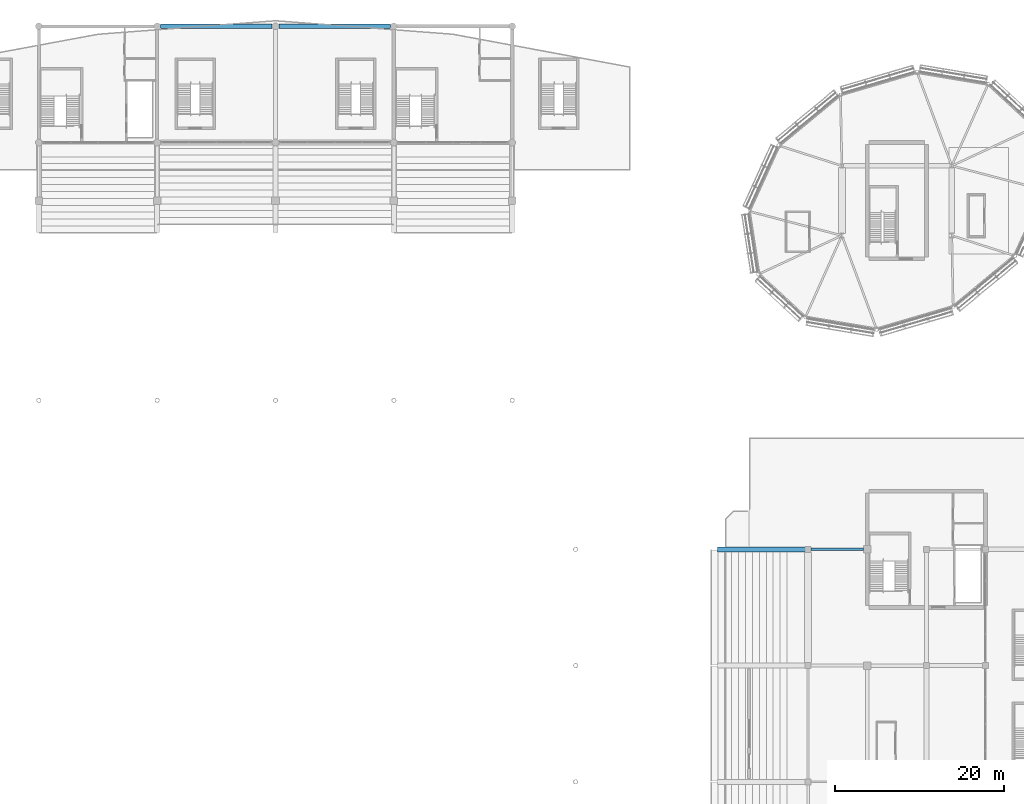
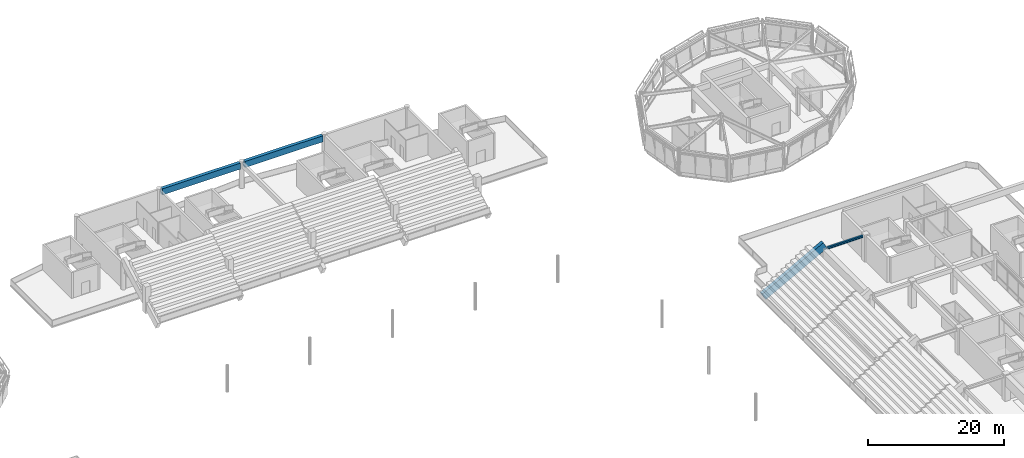
# One storey, part 53 of 94: 4 beams.
"""IFC4 building model written with IfcOpenShell, lengths in metres."""

from ifc_helpers import new_model, si_unit, direction, frame, origin, origin_2d, place, context, subcontext, project, spatial, rectangle, i_section, extrude, material, material_profile, profile_set, type_object, element, save


model = new_model("IFC4")

# Units and contexts
model_context = context("Model", 3, precision=1e-05, world=origin(), true_north=direction((0.0, 1.0)))
body_context = subcontext(model_context, "Body", "Model", "MODEL_VIEW")
ifc_project = project(units=[si_unit("LENGTHUNIT", "METRE"), si_unit("AREAUNIT", "SQUARE_METRE"), si_unit("VOLUMEUNIT", "CUBIC_METRE"), si_unit("PLANEANGLEUNIT", "RADIAN"), si_unit("MASSUNIT", "GRAM", prefix="KILO")], contexts=[model_context])

# Site, building, storey
site_placement = place(None, origin())
site = spatial("IfcSite", under=ifc_project, at=site_placement, CompositionType="ELEMENT")
building_placement = place(site_placement, origin())
building = spatial("IfcBuilding", under=site, at=building_placement, Name="Linyun Crest Stadium", CompositionType="ELEMENT")
storey_placement = place(building_placement, frame((0.0, 0.0, 16.199951171875)))
storey = spatial("IfcBuildingStorey", under=building, at=storey_placement, Name="L04", CompositionType="ELEMENT", Elevation=16.199951171875)

# Beams
ifc_material_1 = material(Name="Steel Q355C", Category="steel")
ifc_material_profile_1 = material_profile(ifc_material_1, i_section(OverallWidth=0.300048828125, OverallDepth=0.389892578125, WebThickness=0.010009765625, FlangeThickness=0.01611328125, at=origin_2d()), Name="HM 390x300")
ifc_profile_set_1 = profile_set([ifc_material_profile_1], Name="Steel Q355C")
beam_type_1 = type_object("IfcBeamType", Name="B06", PredefinedType="BEAM", material=ifc_profile_set_1)
beam_1_placement = place(storey_placement, frame((63.35009765625, 43.375, 4.405029296875), z_axis=(1.0, 0.0, 0.0), x_axis=(0.0, 1.0, 0.0)))
element("IfcBeam", 1, at=beam_1_placement, inside=storey, type_object=beam_type_1, Name="Frame beam B06 L04 696", PredefinedType="BEAM", context=body_context, shape_type="SweptSolid", body=[
    extrude(i_section(OverallWidth=0.300048828125, OverallDepth=0.389892578125, WebThickness=0.010009765625, FlangeThickness=0.01611328125, at=origin_2d()), origin(), (0.0, 0.0, 1.0), 6.199951171875),
])
ifc_material_2 = material(Name="Precast concrete C50", Category="concrete")
ifc_material_profile_2 = material_profile(ifc_material_2, rectangle(XDim=0.60009765625, YDim=1.35009765625, at=origin_2d()), Name="PCR 1350x600")
ifc_profile_set_2 = profile_set([ifc_material_profile_2], Name="Precast concrete C50")
beam_type_2 = type_object("IfcBeamType", Name="RB03", PredefinedType="USERDEFINED", material=ifc_profile_set_2)
beam_2_placement = place(storey_placement, frame((52.60009765625, 43.375, -0.39990234375), z_axis=(0.88047441838, 0.0, 0.474093660134), x_axis=(0.0, 1.0, 0.0)))
element("IfcBeam", 2, at=beam_2_placement, inside=storey, type_object=beam_type_2, Name="Precast raker beam RB03 V2 63", ObjectType="RAKER", PredefinedType="USERDEFINED", context=body_context, shape_type="SweptSolid", body=[
    extrude(rectangle(XDim=0.60009765625, YDim=1.35009765625, at=origin_2d()), origin(), (0.0, 0.0, 1.0), 11.811767578125),
])
ifc_material_3 = material(Name="Concrete C50", Category="concrete")
ifc_material_profile_3 = material_profile(ifc_material_3, rectangle(XDim=0.550048828125, YDim=1.10009765625, at=origin_2d()), Name="RCB 1100x550")
ifc_profile_set_3 = profile_set([ifc_material_profile_3], Name="Concrete C50")
beam_type_3 = type_object("IfcBeamType", Name="TB01", PredefinedType="USERDEFINED", material=ifc_profile_set_3)
for number, where, z_axis, x_axis, name in (
    (3, (-13.60009765625, 105.25, 4.070068359375), (1.0, 0.0, 0.0), (0.0, 1.0, 0.0), "Frame beam TB01 L04 812"),
    (4, (0.39990234375, 105.25, 4.070068359375), (1.0, 0.0, 0.0), (0.0, 1.0, 0.0), "Frame beam TB01 L04 813"),
):
    element("IfcBeam", number, at=place(storey_placement, frame(where, z_axis=z_axis, x_axis=x_axis)), inside=storey, type_object=beam_type_3, Name=name, ObjectType="GIRDER", PredefinedType="USERDEFINED", context=body_context, shape_type="SweptSolid", body=[
        extrude(rectangle(XDim=0.550048828125, YDim=1.10009765625, at=origin_2d()), origin(), (0.0, 0.0, 1.0), 13.2001953125),
    ])

save(model, "model.ifc")
